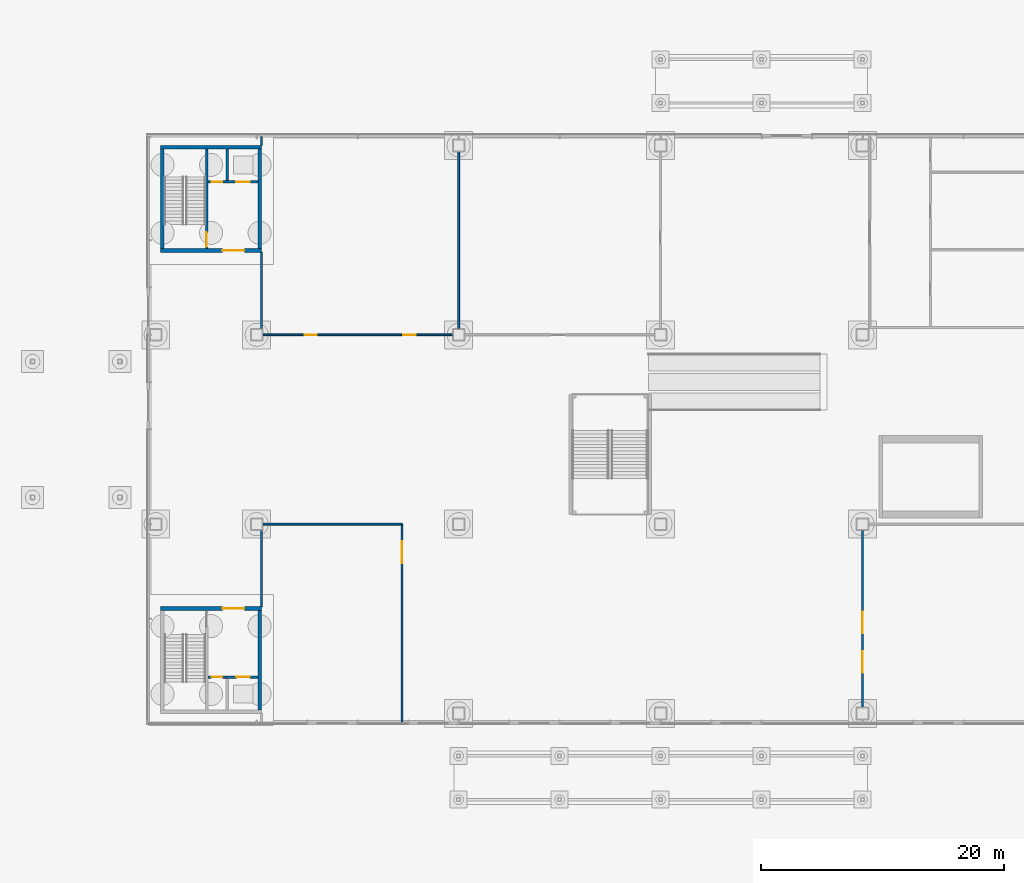
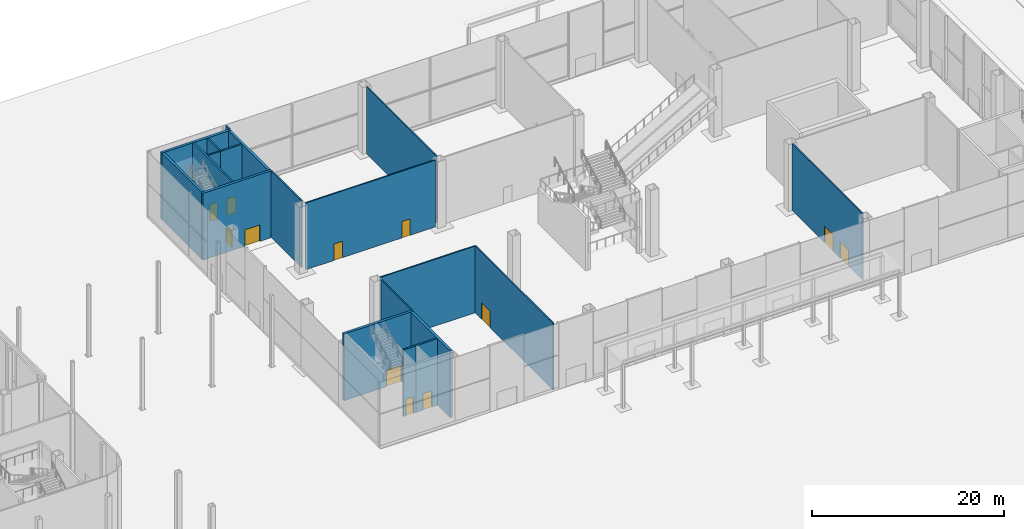
# One storey, part 45 of 113: 20 walls, 12 doors, 12 openings.
"""IFC4 building model written with IfcOpenShell, lengths in metres."""

from ifc_helpers import new_model, si_unit, direction, frame, frame_2d, origin, place, context, subcontext, project, spatial, rectangle, extrude, material, layer, layer_set, type_object, element, fill, save


model = new_model("IFC4")

# Units and contexts
model_context = context("Model", 3, precision=1e-05, world=origin(), true_north=direction((0.0, 1.0)))
body_context = subcontext(model_context, "Body", "Model", "MODEL_VIEW")
ifc_project = project(units=[si_unit("LENGTHUNIT", "METRE"), si_unit("AREAUNIT", "SQUARE_METRE"), si_unit("VOLUMEUNIT", "CUBIC_METRE"), si_unit("PLANEANGLEUNIT", "RADIAN"), si_unit("MASSUNIT", "GRAM", prefix="KILO")], contexts=[model_context])

# Site, building, storey
site_placement = place(None, origin())
site = spatial("IfcSite", under=ifc_project, at=site_placement, CompositionType="ELEMENT")
building_placement = place(site_placement, origin())
building = spatial("IfcBuilding", under=site, at=building_placement, Name="Hakoniwa Tower and Hamabe Station Hall", CompositionType="ELEMENT")
storey_placement = place(building_placement, origin())
storey = spatial("IfcBuildingStorey", under=building, at=storey_placement, Name="L01", CompositionType="ELEMENT", Elevation=0.0)

# Wall, opening, door
ifc_material_1 = material(Name="Concrete block masonry fb10", Category="masonry")
ifc_layer_1 = layer(ifc_material_1, 0.199951171875)
ifc_layer_set_1 = layer_set([ifc_layer_1], Name="BLOCK WALL 200 EI 60")
wall_type_1 = type_object("IfcWallType", Name="BLOCK WALL 200 EI 60", PredefinedType="PARTITIONING", material=ifc_layer_set_1)
wall_1_placement = place(storey_placement, frame((90.25, 20.39990234375, 0.0), z_axis=(0.0, 0.0, 1.0), x_axis=(1.0, 0.0, 0.0)))
wall_1 = element("IfcWall", 1, at=wall_1_placement, inside=storey, type_object=wall_type_1, Name="Station riser room wall SC1 L01", PredefinedType="PARTITIONING", context=body_context, shape_type="SweptSolid", body=[
    extrude(rectangle(XDim=1.5, YDim=0.199951171875, at=frame_2d((0.75, 0.0))), origin(), (0.0, 0.0, 1.0), 8.5),
])
opening_1_placement = place(wall_1_placement, frame((0.300048828125, 0.0, 0.0)))
opening_1 = element("IfcOpeningElement", 2, at=opening_1_placement, cuts=wall_1, Name="Opening SD-L01-014", PredefinedType="OPENING", context=body_context, shape_type="SweptSolid", body=[
    extrude(rectangle(XDim=0.89990234375, YDim=2.10009765625, at=frame_2d((0.449951171875, 1.050048828125))), frame((0.0, 0.10986328125, 0.0), z_axis=(0.0, -1.0, 0.0), x_axis=(1.0, 0.0, 0.0)), (0.0, 0.0, 1.0), 0.219970703125),
])
ifc_material_2 = material(Name="Steel fire door", Category="steel")
door_type_1 = type_object("IfcDoorType", Name="FIRE DOOR 900X2100 FD30", OperationType="SINGLE_SWING_LEFT", PredefinedType="DOOR", material=ifc_material_2)
door_1_placement = place(opening_1_placement, origin())
door_1 = element("IfcDoor", 3, at=door_1_placement, inside=storey, type_object=door_type_1, Name="Door riser SC1", OperationType="SINGLE_SWING_LEFT", OverallHeight=2.10009765625, OverallWidth=0.89990234375, PredefinedType="DOOR", context=body_context, shape_type="SweptSolid", body=[
    extrude(rectangle(XDim=0.89990234375, YDim=2.10009765625, at=frame_2d((0.449951171875, 1.050048828125))), frame((0.0, 0.02490234375, 0.0), z_axis=(0.0, -1.0, 0.0), x_axis=(1.0, 0.0, 0.0)), (0.0, 0.0, 1.0), 0.050048828125),
])
fill(opening_1, door_1)

wall_2_placement = place(storey_placement, frame((90.25, -20.39990234375, 0.0), z_axis=(0.0, 0.0, 1.0), x_axis=(1.0, 0.0, 0.0)))
wall_2 = element("IfcWall", 4, at=wall_2_placement, inside=storey, type_object=wall_type_1, Name="Station riser room wall SC3 L01", PredefinedType="PARTITIONING", context=body_context, shape_type="SweptSolid", body=[
    extrude(rectangle(XDim=1.5, YDim=0.199951171875, at=frame_2d((0.75, 0.0))), origin(), (0.0, 0.0, 1.0), 8.5),
])
opening_2_placement = place(wall_2_placement, frame((0.300048828125, 0.0, 0.0)))
opening_2 = element("IfcOpeningElement", 5, at=opening_2_placement, cuts=wall_2, Name="Opening SD-L01-020", PredefinedType="OPENING", context=body_context, shape_type="SweptSolid", body=[
    extrude(rectangle(XDim=0.89990234375, YDim=2.10009765625, at=frame_2d((0.449951171875, 1.050048828125))), frame((0.0, 0.10986328125, 0.0), z_axis=(0.0, -1.0, 0.0), x_axis=(1.0, 0.0, 0.0)), (0.0, 0.0, 1.0), 0.219970703125),
])
door_2_placement = place(opening_2_placement, origin())
door_2 = element("IfcDoor", 6, at=door_2_placement, inside=storey, type_object=door_type_1, Name="Door riser SC3", OperationType="SINGLE_SWING_RIGHT", OverallHeight=2.10009765625, OverallWidth=0.89990234375, PredefinedType="DOOR", context=body_context, shape_type="SweptSolid", body=[
    extrude(rectangle(XDim=0.89990234375, YDim=2.10009765625, at=frame_2d((0.449951171875, 1.050048828125))), frame((0.0, 0.02490234375, 0.0), z_axis=(0.0, -1.0, 0.0), x_axis=(1.0, 0.0, 0.0)), (0.0, 0.0, 1.0), 0.050048828125),
])
fill(opening_2, door_2)

# Wall
ifc_material_3 = material(Name="Fire-rated gypsum board partition")
ifc_layer_2 = layer(ifc_material_3, 0.14990234375)
ifc_layer_set_2 = layer_set([ifc_layer_2], Name="FIRE PARTITION 150 EI 60")
wall_type_2 = type_object("IfcWallType", Name="FIRE PARTITION 150 EI 60", PredefinedType="PARTITIONING", material=ifc_layer_set_2)
wall_3_placement = place(storey_placement, frame((94.77001953125, -7.800048828125, 0.0), z_axis=(0.0, 0.0, 1.0), x_axis=(1.0, 0.0, 0.0)))
element("IfcWall", 7, at=wall_3_placement, inside=storey, type_object=wall_type_2, Name="Partition L01 1", PredefinedType="PARTITIONING", context=body_context, shape_type="SweptSolid", body=[
    extrude(rectangle(XDim=11.47998046875, YDim=0.14990234375, at=frame_2d((5.739990234375, 0.0))), origin(), (0.0, 0.0, 1.0), 8.5),
])

# Wall, openings, doors
wall_4_placement = place(storey_placement, frame((94.77001953125, 7.800048828125, 0.0), z_axis=(0.0, 0.0, 1.0), x_axis=(1.0, 0.0, 0.0)))
wall_4 = element("IfcWall", 8, at=wall_4_placement, inside=storey, type_object=wall_type_2, Name="Partition L01 3", PredefinedType="PARTITIONING", context=body_context, shape_type="SweptSolid", body=[
    extrude(rectangle(XDim=15.639892578125, YDim=0.14990234375, at=frame_2d((7.81982421875, 0.0))), origin(), (0.0, 0.0, 1.0), 8.5),
])
opening_3_placement = place(wall_4_placement, frame((11.594970703125, 0.0, 0.0)))
opening_3 = element("IfcOpeningElement", 9, at=opening_3_placement, cuts=wall_4, Name="Opening SD-L01-004", PredefinedType="OPENING", context=body_context, shape_type="SweptSolid", body=[
    extrude(rectangle(XDim=1.0, YDim=2.10009765625, at=frame_2d((0.5, 1.050048828125))), frame((0.0, 0.0849609375, 0.0), z_axis=(0.0, -1.0, 0.0), x_axis=(1.0, 0.0, 0.0)), (0.0, 0.0, 1.0), 0.169921875),
])
opening_4_placement = place(wall_4_placement, frame((3.445068359375, 0.0, 0.0)))
opening_4 = element("IfcOpeningElement", 10, at=opening_4_placement, cuts=wall_4, Name="Opening SD-L01-005", PredefinedType="OPENING", context=body_context, shape_type="SweptSolid", body=[
    extrude(rectangle(XDim=1.0, YDim=2.10009765625, at=frame_2d((0.5, 1.050048828125))), frame((0.0, 0.0849609375, 0.0), z_axis=(0.0, -1.0, 0.0), x_axis=(1.0, 0.0, 0.0)), (0.0, 0.0, 1.0), 0.169921875),
])
ifc_material_4 = material(Name="Timber door leaf", Category="wood")
door_type_2 = type_object("IfcDoorType", Name="SINGLE DOOR 1000X2100", OperationType="SINGLE_SWING_LEFT", PredefinedType="DOOR", material=ifc_material_4)
door_3_placement = place(opening_3_placement, origin())
door_3 = element("IfcDoor", 11, at=door_3_placement, inside=storey, type_object=door_type_2, Name="Door Ticket Office", OperationType="SINGLE_SWING_LEFT", OverallHeight=2.10009765625, OverallWidth=1.0, PredefinedType="DOOR", context=body_context, shape_type="SweptSolid", body=[
    extrude(rectangle(XDim=1.0, YDim=2.10009765625, at=frame_2d((0.5, 1.050048828125))), frame((0.0, 0.02490234375, 0.0), z_axis=(0.0, -1.0, 0.0), x_axis=(1.0, 0.0, 0.0)), (0.0, 0.0, 1.0), 0.050048828125),
])
fill(opening_3, door_3)
door_4_placement = place(opening_4_placement, origin())
door_4 = element("IfcDoor", 12, at=door_4_placement, inside=storey, type_object=door_type_2, Name="Door Ticket Office", OperationType="SINGLE_SWING_RIGHT", OverallHeight=2.10009765625, OverallWidth=1.0, PredefinedType="DOOR", context=body_context, shape_type="SweptSolid", body=[
    extrude(rectangle(XDim=1.0, YDim=2.10009765625, at=frame_2d((0.5, 1.050048828125))), frame((0.0, 0.02490234375, 0.0), z_axis=(0.0, -1.0, 0.0), x_axis=(1.0, 0.0, 0.0)), (0.0, 0.0, 1.0), 0.050048828125),
])
fill(opening_4, door_4)

# Walls
for number, where, z_axis, x_axis, name in (
    (13, (94.669921875, -14.60009765625, 0.0), (0.0, 0.0, 1.0), (0.0, 1.0, 0.0), "Partition L01 8"),
    (14, (94.669921875, 8.300048828125, 0.0), (0.0, 0.0, 1.0), (0.0, 1.0, 0.0), "Partition L01 9"),
):
    element("IfcWall", number, at=place(storey_placement, frame(where, z_axis=z_axis, x_axis=x_axis)), inside=storey, type_object=wall_type_2, Name=name, PredefinedType="PARTITIONING", context=body_context, shape_type="SweptSolid", body=[
        extrude(rectangle(XDim=6.300048828125, YDim=0.14990234375, at=frame_2d((3.14990234375, 0.0))), origin(), (0.0, 0.0, 1.0), 8.5),
    ])
wall_5_placement = place(storey_placement, frame((94.669921875, 23.39990234375, 0.0), z_axis=(0.0, 0.0, 1.0), x_axis=(0.0, 1.0, 0.0)))
element("IfcWall", 15, at=wall_5_placement, inside=storey, type_object=wall_type_2, Name="Partition L01 10", PredefinedType="PARTITIONING", context=body_context, shape_type="SweptSolid", body=[
    extrude(rectangle(XDim=0.7001953125, YDim=0.14990234375, at=frame_2d((0.35009765625, 0.0))), origin(), (0.0, 0.0, 1.0), 8.5),
])

# Wall, opening, door
wall_6_placement = place(storey_placement, frame((106.25, -24.10009765625, 0.0), z_axis=(0.0, 0.0, 1.0), x_axis=(0.0, 1.0, 0.0)))
wall_6 = element("IfcWall", 16, at=wall_6_placement, inside=storey, type_object=wall_type_2, Name="Partition L01 11", PredefinedType="PARTITIONING", context=body_context, shape_type="SweptSolid", body=[
    extrude(rectangle(XDim=16.300048828125, YDim=0.14990234375, at=frame_2d((8.14990234375, 0.0))), origin(), (0.0, 0.0, 1.0), 8.5),
])
opening_5_placement = place(wall_6_placement, frame((13.074951171875, 0.0, 0.0)))
opening_5 = element("IfcOpeningElement", 17, at=opening_5_placement, cuts=wall_6, Name="Opening SD-L01-001", PredefinedType="OPENING", context=body_context, shape_type="SweptSolid", body=[
    extrude(rectangle(XDim=1.800048828125, YDim=2.10009765625, at=frame_2d((0.89990234375, 1.050048828125))), frame((0.0, 0.0849609375, 0.0), z_axis=(0.0, -1.0, 0.0), x_axis=(1.0, 0.0, 0.0)), (0.0, 0.0, 1.0), 0.169921875),
])
ifc_material_5 = material(Name="Timber door leaf", Category="wood")
door_type_3 = type_object("IfcDoorType", Name="DOUBLE DOOR 1800X2100", OperationType="DOUBLE_DOOR_SINGLE_SWING", PredefinedType="DOOR", material=ifc_material_5)
door_5_placement = place(opening_5_placement, origin())
door_5 = element("IfcDoor", 18, at=door_5_placement, inside=storey, type_object=door_type_3, Name="Door Convenience Store", OperationType="DOUBLE_DOOR_SINGLE_SWING", OverallHeight=2.10009765625, OverallWidth=1.800048828125, PredefinedType="DOOR", context=body_context, shape_type="SweptSolid", body=[
    extrude(rectangle(XDim=1.800048828125, YDim=2.10009765625, at=frame_2d((0.89990234375, 1.050048828125))), frame((0.0, 0.02490234375, 0.0), z_axis=(0.0, -1.0, 0.0), x_axis=(1.0, 0.0, 0.0)), (0.0, 0.0, 1.0), 0.050048828125),
])
fill(opening_5, door_5)

# Wall
wall_7_placement = place(storey_placement, frame((110.909912109375, 8.300048828125, 0.0), z_axis=(0.0, 0.0, 1.0), x_axis=(0.0, 1.0, 0.0)))
element("IfcWall", 19, at=wall_7_placement, inside=storey, type_object=wall_type_2, Name="Partition L01 12", PredefinedType="PARTITIONING", context=body_context, shape_type="SweptSolid", body=[
    extrude(rectangle(XDim=14.599853515625, YDim=0.14990234375, at=frame_2d((7.2998046875, 0.0))), origin(), (0.0, 0.0, 1.0), 8.5),
])

# Wall, openings, doors
wall_8_placement = place(storey_placement, frame((144.18994140625, -22.89990234375, 0.0), z_axis=(0.0, 0.0, 1.0), x_axis=(0.0, 1.0, 0.0)))
wall_8 = element("IfcWall", 20, at=wall_8_placement, inside=storey, type_object=wall_type_2, Name="Partition L01 14", PredefinedType="PARTITIONING", context=body_context, shape_type="SweptSolid", body=[
    extrude(rectangle(XDim=14.599853515625, YDim=0.14990234375, at=frame_2d((7.2998046875, 0.0))), origin(), (0.0, 0.0, 1.0), 8.5),
])
opening_6_placement = place(wall_8_placement, frame((6.094970703125, 0.0, 0.0)))
opening_6 = element("IfcOpeningElement", 21, at=opening_6_placement, cuts=wall_8, Name="Opening SD-L01-002", PredefinedType="OPENING", context=body_context, shape_type="SweptSolid", body=[
    extrude(rectangle(XDim=1.800048828125, YDim=2.10009765625, at=frame_2d((0.89990234375, 1.050048828125))), frame((0.0, 0.0849609375, 0.0), z_axis=(0.0, -1.0, 0.0), x_axis=(1.0, 0.0, 0.0)), (0.0, 0.0, 1.0), 0.169921875),
])
opening_7_placement = place(wall_8_placement, frame((2.844970703125, 0.0, 0.0)))
opening_7 = element("IfcOpeningElement", 22, at=opening_7_placement, cuts=wall_8, Name="Opening SD-L01-003", PredefinedType="OPENING", context=body_context, shape_type="SweptSolid", body=[
    extrude(rectangle(XDim=1.800048828125, YDim=2.10009765625, at=frame_2d((0.89990234375, 1.050048828125))), frame((0.0, 0.0849609375, 0.0), z_axis=(0.0, -1.0, 0.0), x_axis=(1.0, 0.0, 0.0)), (0.0, 0.0, 1.0), 0.169921875),
])
door_6_placement = place(opening_6_placement, origin())
door_6 = element("IfcDoor", 23, at=door_6_placement, inside=storey, type_object=door_type_3, Name="Door Station Cafe", OperationType="DOUBLE_DOOR_SINGLE_SWING", OverallHeight=2.10009765625, OverallWidth=1.800048828125, PredefinedType="DOOR", context=body_context, shape_type="SweptSolid", body=[
    extrude(rectangle(XDim=1.800048828125, YDim=2.10009765625, at=frame_2d((0.89990234375, 1.050048828125))), frame((0.0, 0.02490234375, 0.0), z_axis=(0.0, -1.0, 0.0), x_axis=(1.0, 0.0, 0.0)), (0.0, 0.0, 1.0), 0.050048828125),
])
fill(opening_6, door_6)
door_7_placement = place(opening_7_placement, origin())
door_7 = element("IfcDoor", 24, at=door_7_placement, inside=storey, type_object=door_type_3, Name="Door Station Cafe", OperationType="DOUBLE_DOOR_SINGLE_SWING", OverallHeight=2.10009765625, OverallWidth=1.800048828125, PredefinedType="DOOR", context=body_context, shape_type="SweptSolid", body=[
    extrude(rectangle(XDim=1.800048828125, YDim=2.10009765625, at=frame_2d((0.89990234375, 1.050048828125))), frame((0.0, 0.02490234375, 0.0), z_axis=(0.0, -1.0, 0.0), x_axis=(1.0, 0.0, 0.0)), (0.0, 0.0, 1.0), 0.050048828125),
])
fill(opening_7, door_7)

# Wall, opening, door
ifc_material_6 = material(Name="Concrete C60", Category="concrete")
ifc_layer_3 = layer(ifc_material_6, 0.199951171875)
ifc_layer_set_3 = layer_set([ifc_layer_3], Name="RC WALL 200 EI 120 C60")
wall_type_3 = type_object("IfcWallType", Name="RC WALL 200 EI 120 C60", PredefinedType="SHEAR", material=ifc_layer_set_3)
wall_9_placement = place(storey_placement, frame((90.14990234375, 23.10009765625, 0.0), z_axis=(0.0, 0.0, 1.0), x_axis=(0.0, -1.0, 0.0)))
wall_9 = element("IfcWall", 25, at=wall_9_placement, inside=storey, type_object=wall_type_3, Name="Station stair wall SC1 L01", PredefinedType="SHEAR", context=body_context, shape_type="SweptSolid", body=[
    extrude(rectangle(XDim=8.2001953125, YDim=0.199951171875, at=frame_2d((4.10009765625, 0.0))), origin(), (0.0, 0.0, 1.0), 8.5),
])
opening_8_placement = place(wall_9_placement, frame((6.85009765625, 0.0, 0.0)))
opening_8 = element("IfcOpeningElement", 26, at=opening_8_placement, cuts=wall_9, Name="Opening SD-L01-013", PredefinedType="OPENING", context=body_context, shape_type="SweptSolid", body=[
    extrude(rectangle(XDim=1.199951171875, YDim=2.10009765625, at=frame_2d((0.60009765625, 1.050048828125))), frame((0.0, 0.10986328125, 0.0), z_axis=(0.0, -1.0, 0.0), x_axis=(1.0, 0.0, 0.0)), (0.0, 0.0, 1.0), 0.219970703125),
])
ifc_material_7 = material(Name="Steel fire door", Category="steel")
door_type_4 = type_object("IfcDoorType", Name="FIRE DOOR 1200X2100 FD60", OperationType="SINGLE_SWING_LEFT", PredefinedType="DOOR", material=ifc_material_7)
door_8_placement = place(opening_8_placement, origin())
door_8 = element("IfcDoor", 27, at=door_8_placement, inside=storey, type_object=door_type_4, Name="Door escape stair SC1", OperationType="SINGLE_SWING_LEFT", OverallHeight=2.10009765625, OverallWidth=1.199951171875, PredefinedType="DOOR", context=body_context, shape_type="SweptSolid", body=[
    extrude(rectangle(XDim=1.199951171875, YDim=2.10009765625, at=frame_2d((0.60009765625, 1.050048828125))), frame((0.0, 0.02490234375, 0.0), z_axis=(0.0, -1.0, 0.0), x_axis=(1.0, 0.0, 0.0)), (0.0, 0.0, 1.0), 0.050048828125),
])
fill(opening_8, door_8)

# Wall
ifc_material_8 = material(Name="Concrete C60", Category="concrete")
ifc_layer_4 = layer(ifc_material_8, 0.199951171875)
ifc_layer_set_4 = layer_set([ifc_layer_4], Name="RC WALL 200 EI 60 C60")
wall_type_4 = type_object("IfcWallType", Name="RC WALL 200 EI 60 C60", PredefinedType="SHEAR", material=ifc_layer_set_4)
wall_10_placement = place(storey_placement, frame((91.85009765625, 23.10009765625, 0.0), z_axis=(0.0, 0.0, 1.0), x_axis=(0.0, -1.0, 0.0)))
element("IfcWall", 28, at=wall_10_placement, inside=storey, type_object=wall_type_4, Name="Station hoistway wall SC1 L01", PredefinedType="SHEAR", context=body_context, shape_type="SweptSolid", body=[
    extrude(rectangle(XDim=2.60009765625, YDim=0.199951171875, at=frame_2d((1.300048828125, 0.0))), origin(), (0.0, 0.0, 1.0), 8.5),
])

# Wall, opening, door
wall_11_placement = place(storey_placement, frame((91.75, 20.39990234375, 0.0), z_axis=(0.0, 0.0, 1.0), x_axis=(1.0, 0.0, 0.0)))
wall_11 = element("IfcWall", 29, at=wall_11_placement, inside=storey, type_object=wall_type_4, Name="Station hoistway front wall SC1 L01", PredefinedType="SHEAR", context=body_context, shape_type="SweptSolid", body=[
    extrude(rectangle(XDim=2.6201171875, YDim=0.199951171875, at=frame_2d((1.31005859375, 0.0))), origin(), (0.0, 0.0, 1.0), 8.5),
])
opening_9_placement = place(wall_11_placement, frame((0.85009765625, 0.0, 0.0)))
opening_9 = element("IfcOpeningElement", 30, at=opening_9_placement, cuts=wall_11, Name="Opening LD-SL1-L01", PredefinedType="OPENING", context=body_context, shape_type="SweptSolid", body=[
    extrude(rectangle(XDim=1.10009765625, YDim=2.10009765625, at=frame_2d((0.550048828125, 1.050048828125))), frame((0.0, 0.10986328125, 0.0), z_axis=(0.0, -1.0, 0.0), x_axis=(1.0, 0.0, 0.0)), (0.0, 0.0, 1.0), 0.219970703125),
])
ifc_material_9 = material(Name="Stainless steel SUS304", Category="steel")
door_type_5 = type_object("IfcDoorType", Name="LIFT LANDING DOOR 1100X2100", OperationType="DOUBLE_DOOR_SLIDING", PredefinedType="DOOR", material=ifc_material_9)
door_9_placement = place(opening_9_placement, origin())
door_9 = element("IfcDoor", 31, at=door_9_placement, inside=storey, type_object=door_type_5, Name="Lift landing door SL1 L01", OperationType="DOUBLE_DOOR_SLIDING", OverallHeight=2.10009765625, OverallWidth=1.10009765625, PredefinedType="DOOR", context=body_context, shape_type="SweptSolid", body=[
    extrude(rectangle(XDim=1.10009765625, YDim=2.10009765625, at=frame_2d((0.550048828125, 1.050048828125))), frame((0.0, 0.02490234375, 0.0), z_axis=(0.0, -1.0, 0.0), x_axis=(1.0, 0.0, 0.0)), (0.0, 0.0, 1.0), 0.050048828125),
])
fill(opening_9, door_9)

wall_12_placement = place(storey_placement, frame((91.75, -20.39990234375, 0.0), z_axis=(0.0, 0.0, 1.0), x_axis=(1.0, 0.0, 0.0)))
wall_12 = element("IfcWall", 32, at=wall_12_placement, inside=storey, type_object=wall_type_4, Name="Station hoistway front wall SC3 L01", PredefinedType="SHEAR", context=body_context, shape_type="SweptSolid", body=[
    extrude(rectangle(XDim=2.6201171875, YDim=0.199951171875, at=frame_2d((1.31005859375, 0.0))), origin(), (0.0, 0.0, 1.0), 8.5),
])
opening_10_placement = place(wall_12_placement, frame((0.85009765625, 0.0, 0.0)))
opening_10 = element("IfcOpeningElement", 33, at=opening_10_placement, cuts=wall_12, Name="Opening LD-SL3-L01", PredefinedType="OPENING", context=body_context, shape_type="SweptSolid", body=[
    extrude(rectangle(XDim=1.10009765625, YDim=2.10009765625, at=frame_2d((0.550048828125, 1.050048828125))), frame((0.0, 0.10986328125, 0.0), z_axis=(0.0, -1.0, 0.0), x_axis=(1.0, 0.0, 0.0)), (0.0, 0.0, 1.0), 0.219970703125),
])
door_10_placement = place(opening_10_placement, origin())
door_10 = element("IfcDoor", 34, at=door_10_placement, inside=storey, type_object=door_type_5, Name="Lift landing door SL3 L01", OperationType="DOUBLE_DOOR_SLIDING", OverallHeight=2.10009765625, OverallWidth=1.10009765625, PredefinedType="DOOR", context=body_context, shape_type="SweptSolid", body=[
    extrude(rectangle(XDim=1.10009765625, YDim=2.10009765625, at=frame_2d((0.550048828125, 1.050048828125))), frame((0.0, 0.02490234375, 0.0), z_axis=(0.0, -1.0, 0.0), x_axis=(1.0, 0.0, 0.0)), (0.0, 0.0, 1.0), 0.050048828125),
])
fill(opening_10, door_10)

# Wall
ifc_material_10 = material(Name="Concrete C60", Category="concrete")
ifc_layer_5 = layer(ifc_material_10, 0.300048828125)
ifc_layer_set_5 = layer_set([ifc_layer_5], Name="RC WALL 300 EI 120 C60")
wall_type_5 = type_object("IfcWallType", Name="RC WALL 300 EI 120 C60", PredefinedType="SHEAR", material=ifc_layer_set_5)
wall_13_placement = place(storey_placement, frame((86.35009765625, 23.25, 0.0), z_axis=(0.0, 0.0, 1.0), x_axis=(1.0, 0.0, 0.0)))
element("IfcWall", 35, at=wall_13_placement, inside=storey, type_object=wall_type_5, Name="Station core wall SC1 outer-v L01", PredefinedType="SHEAR", context=body_context, shape_type="SweptSolid", body=[
    extrude(rectangle(XDim=8.31982421875, YDim=0.300048828125, at=frame_2d((4.159912109375, 0.0))), origin(), (0.0, 0.0, 1.0), 8.5),
])

# Wall, opening, door
wall_14_placement = place(storey_placement, frame((86.35009765625, 14.75, 0.0), z_axis=(0.0, 0.0, 1.0), x_axis=(1.0, 0.0, 0.0)))
wall_14 = element("IfcWall", 36, at=wall_14_placement, inside=storey, type_object=wall_type_5, Name="Station core wall SC1 inner-v L01", PredefinedType="SHEAR", context=body_context, shape_type="SweptSolid", body=[
    extrude(rectangle(XDim=8.31982421875, YDim=0.300048828125, at=frame_2d((4.159912109375, 0.0))), origin(), (0.0, 0.0, 1.0), 8.5),
])
opening_11_placement = place(wall_14_placement, frame((5.10009765625, 0.0, 0.0)))
opening_11 = element("IfcOpeningElement", 37, at=opening_11_placement, cuts=wall_14, Name="Opening SD-L01-012", PredefinedType="OPENING", context=body_context, shape_type="SweptSolid", body=[
    extrude(rectangle(XDim=1.800048828125, YDim=2.10009765625, at=frame_2d((0.89990234375, 1.050048828125))), frame((0.0, 0.159912109375, 0.0), z_axis=(0.0, -1.0, 0.0), x_axis=(1.0, 0.0, 0.0)), (0.0, 0.0, 1.0), 0.320068359375),
])
ifc_material_11 = material(Name="Steel fire door", Category="steel")
door_type_6 = type_object("IfcDoorType", Name="FIRE DOUBLE DOOR 1800X2100 FD60", OperationType="DOUBLE_DOOR_SINGLE_SWING", PredefinedType="DOOR", material=ifc_material_11)
door_11_placement = place(opening_11_placement, frame((1.800048828125, 0.0, 0.0), z_axis=(0.0, 0.0, 1.0), x_axis=(-1.0, 0.0, 0.0)))
door_11 = element("IfcDoor", 38, at=door_11_placement, inside=storey, type_object=door_type_6, Name="Door lobby SC1", OperationType="DOUBLE_DOOR_SINGLE_SWING", OverallHeight=2.10009765625, OverallWidth=1.800048828125, PredefinedType="DOOR", context=body_context, shape_type="SweptSolid", body=[
    extrude(rectangle(XDim=1.800048828125, YDim=2.10009765625, at=frame_2d((0.89990234375, 1.050048828125))), frame((0.0, 0.02490234375, 0.0), z_axis=(0.0, -1.0, 0.0), x_axis=(1.0, 0.0, 0.0)), (0.0, 0.0, 1.0), 0.050048828125),
])
fill(opening_11, door_11)

# Walls
for number, where, z_axis, x_axis, name in (
    (39, (86.5, 23.10009765625, 0.0), (0.0, 0.0, 1.0), (0.0, -1.0, 0.0), "Station core wall SC1 outer-u L01"),
    (40, (94.52001953125, 23.10009765625, 0.0), (0.0, 0.0, 1.0), (0.0, -1.0, 0.0), "Station core wall SC1 inner-u L01"),
):
    element("IfcWall", number, at=place(storey_placement, frame(where, z_axis=z_axis, x_axis=x_axis)), inside=storey, type_object=wall_type_5, Name=name, PredefinedType="SHEAR", context=body_context, shape_type="SweptSolid", body=[
        extrude(rectangle(XDim=8.2001953125, YDim=0.300048828125, at=frame_2d((4.10009765625, 0.0))), origin(), (0.0, 0.0, 1.0), 8.5),
    ])

# Wall, opening, door
wall_15_placement = place(storey_placement, frame((86.35009765625, -14.75, 0.0), z_axis=(0.0, 0.0, 1.0), x_axis=(1.0, 0.0, 0.0)))
wall_15 = element("IfcWall", 41, at=wall_15_placement, inside=storey, type_object=wall_type_5, Name="Station core wall SC3 inner-v L01", PredefinedType="SHEAR", context=body_context, shape_type="SweptSolid", body=[
    extrude(rectangle(XDim=8.31982421875, YDim=0.300048828125, at=frame_2d((4.159912109375, 0.0))), origin(), (0.0, 0.0, 1.0), 8.5),
])
opening_12_placement = place(wall_15_placement, frame((5.10009765625, 0.0, 0.0)))
opening_12 = element("IfcOpeningElement", 42, at=opening_12_placement, cuts=wall_15, Name="Opening SD-L01-018", PredefinedType="OPENING", context=body_context, shape_type="SweptSolid", body=[
    extrude(rectangle(XDim=1.800048828125, YDim=2.10009765625, at=frame_2d((0.89990234375, 1.050048828125))), frame((0.0, 0.159912109375, 0.0), z_axis=(0.0, -1.0, 0.0), x_axis=(1.0, 0.0, 0.0)), (0.0, 0.0, 1.0), 0.320068359375),
])
door_12_placement = place(opening_12_placement, origin())
door_12 = element("IfcDoor", 43, at=door_12_placement, inside=storey, type_object=door_type_6, Name="Door lobby SC3", OperationType="DOUBLE_DOOR_SINGLE_SWING", OverallHeight=2.10009765625, OverallWidth=1.800048828125, PredefinedType="DOOR", context=body_context, shape_type="SweptSolid", body=[
    extrude(rectangle(XDim=1.800048828125, YDim=2.10009765625, at=frame_2d((0.89990234375, 1.050048828125))), frame((0.0, 0.02490234375, 0.0), z_axis=(0.0, -1.0, 0.0), x_axis=(1.0, 0.0, 0.0)), (0.0, 0.0, 1.0), 0.050048828125),
])
fill(opening_12, door_12)

# Wall
wall_16_placement = place(storey_placement, frame((94.52001953125, -23.10009765625, 0.0), z_axis=(0.0, 0.0, 1.0), x_axis=(0.0, 1.0, 0.0)))
element("IfcWall", 44, at=wall_16_placement, inside=storey, type_object=wall_type_5, Name="Station core wall SC3 inner-u L01", PredefinedType="SHEAR", context=body_context, shape_type="SweptSolid", body=[
    extrude(rectangle(XDim=8.2001953125, YDim=0.300048828125, at=frame_2d((4.10009765625, 0.0))), origin(), (0.0, 0.0, 1.0), 8.5),
])

save(model, "model.ifc")
